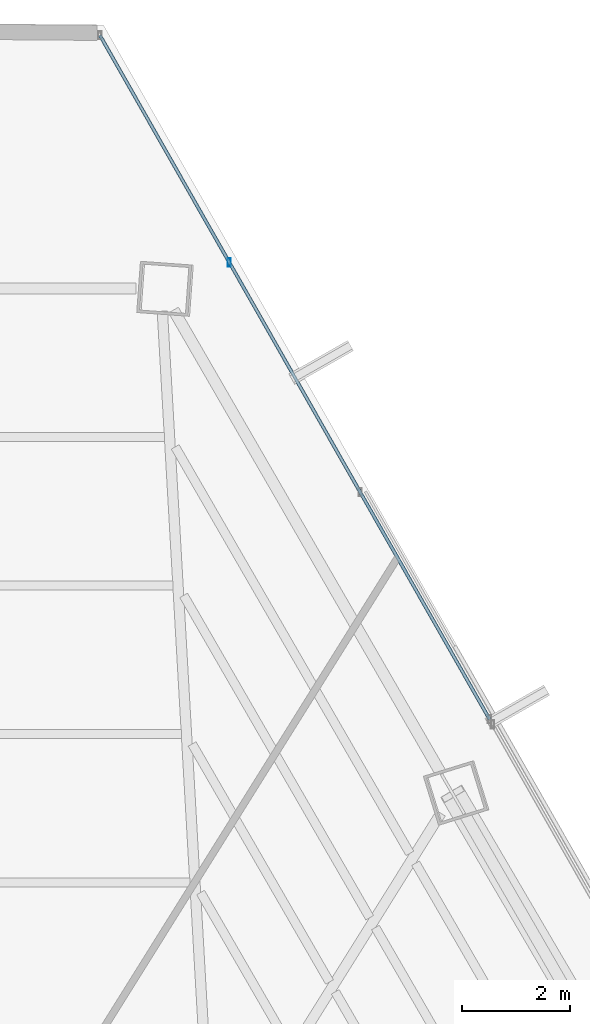
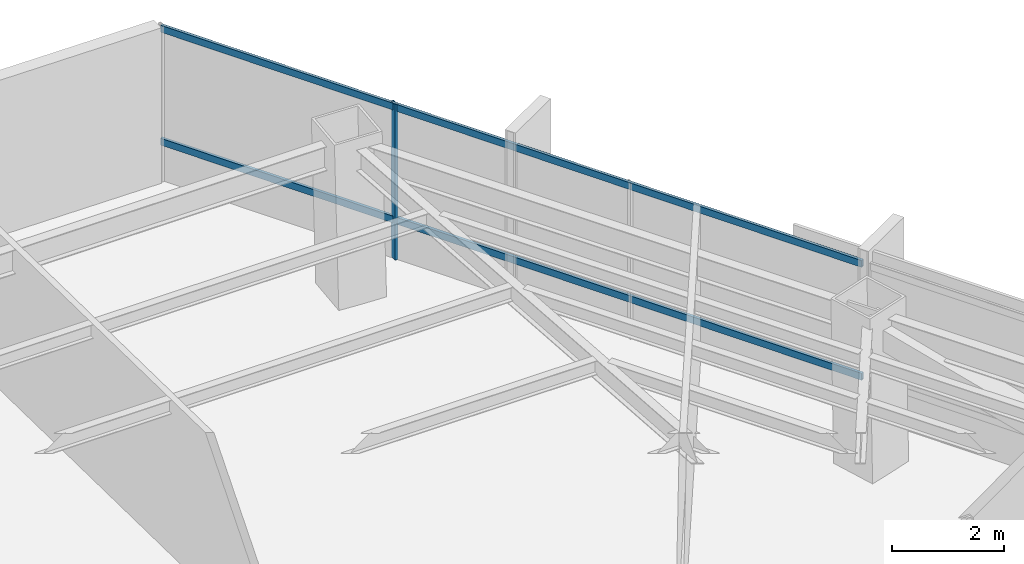
# One storey, part 32 of 39: 3 members, 1 element without a shape of its own.
"""IFC4 building model written with IfcOpenShell, lengths in metres."""

from ifc_helpers import new_model, si_unit, direction, frame, origin, origin_2d, place, context, subcontext, project, spatial, hollow_rectangle, extrude, source, transform, mapped, material, material_profile, profile_set, type_object, type_shapes, element, aggregate, save


model = new_model("IFC4")

# Units and contexts
model_context = context("Model", 3, precision=1e-05, world=origin(), true_north=direction((0.0, 1.0)))
body_context = subcontext(model_context, "Body", "Model", "MODEL_VIEW")
ifc_project = project(units=[si_unit("LENGTHUNIT", "METRE"), si_unit("AREAUNIT", "SQUARE_METRE"), si_unit("VOLUMEUNIT", "CUBIC_METRE"), si_unit("PLANEANGLEUNIT", "RADIAN"), si_unit("MASSUNIT", "GRAM", prefix="KILO")], contexts=[model_context])

# Site, building, storey
site_placement = place(None, origin())
site = spatial("IfcSite", under=ifc_project, at=site_placement, CompositionType="ELEMENT")
building_placement = place(site_placement, origin())
building = spatial("IfcBuilding", under=site, at=building_placement, Name="Caelisora Broadcast Tower", CompositionType="ELEMENT")
storey_placement = place(building_placement, frame((0.0, 0.0, 139.10009765625)))
storey = spatial("IfcBuildingStorey", under=building, at=storey_placement, Name="L36", CompositionType="ELEMENT", Elevation=139.10009765625)

# Curtain wall, members
ifc_material_1 = material(Name="Unitised Aluminium and Low-E Glass Curtain Wall", Category="glass")
curtain_wall_type = type_object("IfcCurtainWallType", Name="CW-Z3", PredefinedType="NOTDEFINED", material=ifc_material_1)
curtain_wall_placement = place(storey_placement, origin())
curtain_wall = element("IfcCurtainWall", 1, at=curtain_wall_placement, inside=storey, type_object=curtain_wall_type, Name="L36 curtain wall CW-Z3", PredefinedType="NOTDEFINED")
ifc_material_2 = material(Name="Aluminium 6063-T6 Anodised Terracotta Bronze", Category="aluminium")
ifc_material_profile_1 = material_profile(ifc_material_2, hollow_rectangle(XDim=0.06005859375, YDim=0.14990234375, WallThickness=0.00341796875, at=origin_2d()), Name="Aluminium 6063-T6 Anodised Terracotta Bronze")
ifc_profile_set_1 = profile_set([ifc_material_profile_1], Name="Aluminium 6063-T6 Anodised Terracotta Bronze")
member_type_1 = type_object("IfcMemberType", Name="CWM-03", PredefinedType="MULLION", material=ifc_profile_set_1)
shared_shape_1 = source(origin(), body_context, "Body", "SweptSolid", [
    extrude(hollow_rectangle(XDim=0.06005859375, YDim=0.14990234375, WallThickness=0.00341796875, at=origin_2d()), origin(), (0.0, 0.0, 1.0), 3.39990234375),
])
type_shapes(member_type_1, [shared_shape_1])
member_1_placement = place(storey_placement, frame((45.8232421875, 46.9560546875, 0.0), z_axis=(0.0, 0.0, 1.0), x_axis=(1.0, 0.0, 0.0)))
member_1 = element("IfcMember", 2, at=member_1_placement, type_object=member_type_1, Name="L36-CW-B01 mullion #1", PredefinedType="MULLION", context=body_context, shape_type="MappedRepresentation", body=[
    mapped(shared_shape_1, transform((0.0, 0.0, 0.0), scale=1.0)),
])
ifc_material_profile_2 = material_profile(ifc_material_2, hollow_rectangle(XDim=0.06005859375, YDim=0.14990234375, WallThickness=0.00341796875, at=origin_2d()), Name="Aluminium 6063-T6 Anodised Terracotta Bronze")
ifc_profile_set_2 = profile_set([ifc_material_profile_2], Name="Aluminium 6063-T6 Anodised Terracotta Bronze")
member_type_2 = type_object("IfcMemberType", Name="CWT-02", PredefinedType="USERDEFINED", material=ifc_profile_set_2)
shared_shape_2 = source(origin(), body_context, "Body", "SweptSolid", [
    extrude(hollow_rectangle(XDim=0.06005859375, YDim=0.14990234375, WallThickness=0.00341796875, at=origin_2d()), origin(), (0.0, 0.0, 1.0), 14.55224609375),
])
type_shapes(member_type_2, [shared_shape_2])
member_2_placement = place(storey_placement, frame((43.4306640625, 51.156494140625, 0.849853515625), z_axis=(0.494949642241, -0.868921660246, 0.0), x_axis=(0.868921660246, 0.494949642241, 0.0)))
member_2 = element("IfcMember", 3, at=member_2_placement, type_object=member_type_2, Name="L36-CW-B01 transom #1", ObjectType="TRANSOM", PredefinedType="USERDEFINED", context=body_context, shape_type="MappedRepresentation", body=[
    mapped(shared_shape_2, transform((0.0, 0.0, 0.0), scale=1.0)),
])
member_3_placement = place(storey_placement, frame((43.4306640625, 51.156494140625, 3.31982421875), z_axis=(0.494949642241, -0.868921660246, 0.0), x_axis=(0.868921660246, 0.494949642241, 0.0)))
member_3 = element("IfcMember", 4, at=member_3_placement, type_object=member_type_2, Name="L36-CW-B01 transom #2", ObjectType="TRANSOM", PredefinedType="USERDEFINED", context=body_context, shape_type="MappedRepresentation", body=[
    mapped(shared_shape_2, transform((0.0, 0.0, 0.0), scale=1.0)),
])
aggregate(curtain_wall, [member_1, member_2, member_3])

save(model, "model.ifc")
